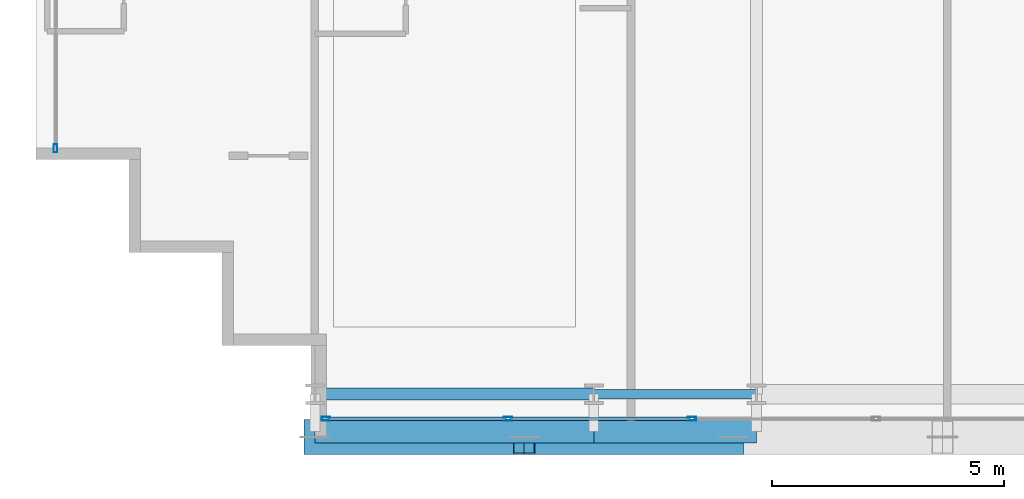
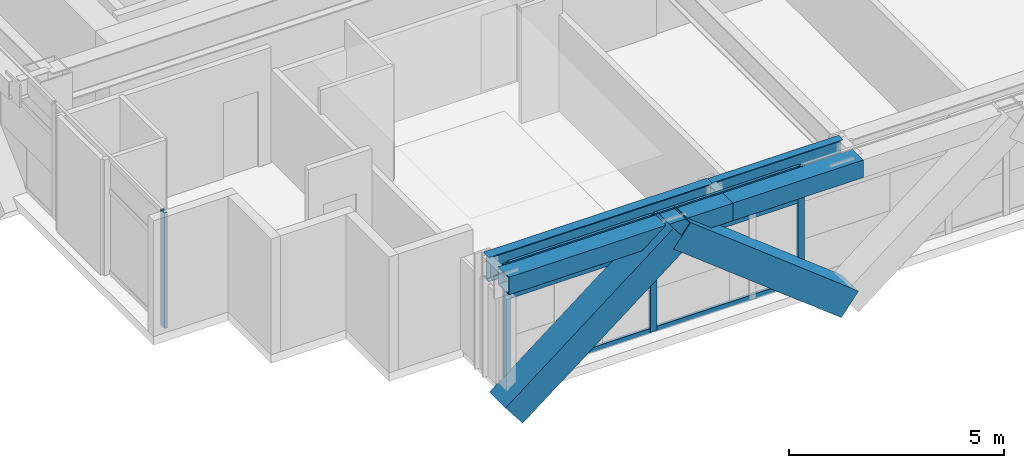
# One storey, part 2 of 36: 12 members, 4 beams, 2 elements without a shape of their own.
"""IFC4 building model written with IfcOpenShell, lengths in metres."""

from ifc_helpers import new_model, si_unit, direction, frame, origin, origin_2d, place, context, subcontext, project, spatial, hollow_rectangle, i_section, extrude, source, transform, mapped, material, layer, layer_set, material_profile, profile_set, type_object, element, aggregate, save


model = new_model("IFC4")

# Units and contexts
model_context = context("Model", 3, precision=1e-05, world=origin(), true_north=direction((0.0, 1.0)))
body_context = subcontext(model_context, "Body", "Model", "MODEL_VIEW")
ifc_project = project(units=[si_unit("LENGTHUNIT", "METRE"), si_unit("AREAUNIT", "SQUARE_METRE"), si_unit("VOLUMEUNIT", "CUBIC_METRE"), si_unit("PLANEANGLEUNIT", "RADIAN"), si_unit("MASSUNIT", "GRAM", prefix="KILO")], contexts=[model_context])

# Site, building, storey
site_placement = place(None, origin())
site = spatial("IfcSite", under=ifc_project, at=site_placement, CompositionType="ELEMENT")
building_placement = place(site_placement, origin())
building = spatial("IfcBuilding", under=site, at=building_placement, Name="Ocotamira Hotel", CompositionType="ELEMENT")
storey_placement = place(building_placement, frame((0.0, 0.0, 147.60009765625)))
storey = spatial("IfcBuildingStorey", under=building, at=storey_placement, Name="L37", CompositionType="ELEMENT", Elevation=147.60009765625)

# Beams
ifc_material_1 = material(Name="Steel ASTM A992 Grade 50", Category="steel")
ifc_material_profile_1 = material_profile(ifc_material_1, i_section(OverallWidth=0.256103515625, OverallDepth=0.693115234375, WebThickness=0.014404296875, FlangeThickness=0.023681640625, FilletRadius=0.01611328125, at=origin_2d()), Name="W27X114")
ifc_profile_set_1 = profile_set([ifc_material_profile_1], Name="Steel ASTM A992 Grade 50")
beam_type_1 = type_object("IfcBeamType", Name="BM-PRIM-W27X114", PredefinedType="BEAM", material=ifc_profile_set_1)
shared_shape_1 = source(origin(), body_context, "Body", "SweptSolid", [
    extrude(i_section(OverallWidth=0.256103515625, OverallDepth=0.693115234375, WebThickness=0.014404296875, FlangeThickness=0.023681640625, FilletRadius=0.01611328125, at=origin_2d()), origin(), (0.0, 0.0, 1.0), 6.0),
])
beam_1_placement = place(storey_placement, frame((14.0, 2.949951171875, 2.933349609375), z_axis=(1.0, 0.0, 0.0), x_axis=(0.0, 1.0, 0.0)))
element("IfcBeam", 1, at=beam_1_placement, inside=storey, type_object=beam_type_1, Name="L37 Girder Y2.95 X14-20", PredefinedType="BEAM", context=body_context, shape_type="MappedRepresentation", body=[
    mapped(shared_shape_1, transform((0.0, 0.0, 0.0), scale=1.0)),
])
ifc_material_profile_2 = material_profile(ifc_material_1, i_section(OverallWidth=0.2099609375, OverallDepth=0.537109375, WebThickness=0.010986328125, FlangeThickness=0.017333984375, FilletRadius=0.012939453125, at=origin_2d()), Name="W21X68")
ifc_profile_set_2 = profile_set([ifc_material_profile_2], Name="Steel ASTM A992 Grade 50")
beam_type_2 = type_object("IfcBeamType", Name="BM-SEC-W21X68", PredefinedType="JOIST", material=ifc_profile_set_2)
shared_shape_2 = source(origin(), body_context, "Body", "SweptSolid", [
    extrude(i_section(OverallWidth=0.2099609375, OverallDepth=0.537109375, WebThickness=0.010986328125, FlangeThickness=0.017333984375, FilletRadius=0.012939453125, at=origin_2d()), origin(), (0.0, 0.0, 1.0), 3.5),
])
beam_2_placement = place(storey_placement, frame((20.0, 2.949951171875, 3.011474609375), z_axis=(1.0, 0.0, 0.0), x_axis=(0.0, 1.0, 0.0)))
element("IfcBeam", 2, at=beam_2_placement, inside=storey, type_object=beam_type_2, Name="L37 Girder Y2.95 X20-23.5", PredefinedType="JOIST", context=body_context, shape_type="MappedRepresentation", body=[
    mapped(shared_shape_2, transform((0.0, 0.0, 0.0), scale=1.0)),
])
ifc_material_2 = material(Name="Steel ASTM A500 Grade C", Category="steel")
ifc_material_profile_3 = material_profile(ifc_material_2, hollow_rectangle(XDim=0.5, YDim=0.5, WallThickness=0.02001953125, at=origin_2d()), Name="HSS500X500X20")
ifc_profile_set_3 = profile_set([ifc_material_profile_3], Name="Steel ASTM A500 Grade C")
beam_type_3 = type_object("IfcBeamType", Name="BM-SPAN-HSS500", PredefinedType="USERDEFINED", material=ifc_profile_set_3)
shared_shape_3 = source(origin(), body_context, "Body", "SweptSolid", [
    extrude(hollow_rectangle(XDim=0.5, YDim=0.5, WallThickness=0.02001953125, at=origin_2d()), origin(), (0.0, 0.0, 1.0), 6.0),
])
beam_3_placement = place(storey_placement, frame((14.0, 2.14990234375, 3.02978515625), z_axis=(1.0, 0.0, 0.0), x_axis=(0.0, 1.0, 0.0)))
element("IfcBeam", 3, at=beam_3_placement, inside=storey, type_object=beam_type_3, Name="L37 Edge Spandrel S X14-20", ObjectType="SPANDREL", PredefinedType="USERDEFINED", context=body_context, shape_type="MappedRepresentation", body=[
    mapped(shared_shape_3, transform((0.0, 0.0, 0.0), scale=1.0)),
])
shared_shape_4 = source(origin(), body_context, "Body", "SweptSolid", [
    extrude(hollow_rectangle(XDim=0.5, YDim=0.5, WallThickness=0.02001953125, at=origin_2d()), origin(), (0.0, 0.0, 1.0), 3.5),
])
beam_4_placement = place(storey_placement, frame((20.0, 2.14990234375, 3.02978515625), z_axis=(1.0, 0.0, 0.0), x_axis=(0.0, 1.0, 0.0)))
element("IfcBeam", 4, at=beam_4_placement, inside=storey, type_object=beam_type_3, Name="L37 Edge Spandrel S X20-23.5", ObjectType="SPANDREL", PredefinedType="USERDEFINED", context=body_context, shape_type="MappedRepresentation", body=[
    mapped(shared_shape_4, transform((0.0, 0.0, 0.0), scale=1.0)),
])

# Members
ifc_material_3 = material(Name="Pale-metal coated steel ASTM A913 Grade 65", Category="steel")
ifc_material_profile_4 = material_profile(ifc_material_3, hollow_rectangle(XDim=0.75, YDim=0.75, WallThickness=0.028076171875, at=origin_2d()), Name="BOX750X750X28")
ifc_profile_set_4 = profile_set([ifc_material_profile_4], Name="Pale-metal coated steel ASTM A913 Grade 65")
member_type_1 = type_object("IfcMemberType", Name="MEM-EXO-BOX750", PredefinedType="BRACE", material=ifc_profile_set_4)
shared_shape_5 = source(origin(), body_context, "Body", "SweptSolid", [
    extrude(hollow_rectangle(XDim=0.75, YDim=0.75, WallThickness=0.028076171875, at=origin_2d()), origin(), (0.0, 0.0, 1.0), 5.713134765625),
])
for number, where, z_axis, x_axis, name in (
    (5, (14.0, 2.030029296875, -0.489990234375), (0.787671799809, 0.0, 0.616095070412), (0.0, 1.0, 0.0), "L37 Exoskeleton Diagrid S0.1"),
    (6, (23.0, 2.030029296875, -0.489990234375), (-0.787671799809, 0.0, 0.616095070412), (0.0, -1.0, 0.0), "L37 Exoskeleton Diagrid S0.2"),
):
    element("IfcMember", number, at=place(storey_placement, frame(where, z_axis=z_axis, x_axis=x_axis)), inside=storey, type_object=member_type_1, Name=name, PredefinedType="BRACE", context=body_context, shape_type="MappedRepresentation", body=[
        mapped(shared_shape_5, transform((0.0, 0.0, 0.0), scale=1.0)),
    ])

# Curtain wall, members
ifc_material_4 = material(Name="Anodised pale-metal aluminium and solar glass", Category="aluminium")
ifc_layer = layer(ifc_material_4, 0.179931640625)
ifc_layer_set = layer_set([ifc_layer], Name="Anodised pale-metal aluminium and solar glass")
curtain_wall_type = type_object("IfcCurtainWallType", Name="CW-SYS3-Z2", PredefinedType="NOTDEFINED", material=ifc_layer_set)
curtain_wall_1_placement = place(storey_placement, origin())
curtain_wall_1 = element("IfcCurtainWall", 7, at=curtain_wall_1_placement, inside=storey, type_object=curtain_wall_type, Name="L37 Curtain Wall CW-3 CW-L37-S1", PredefinedType="NOTDEFINED")
ifc_material_5 = material(Name="Anodised pale-metal aluminium 6063-T6", Category="aluminium")
ifc_material_profile_5 = material_profile(ifc_material_5, hollow_rectangle(XDim=0.074951171875, YDim=0.14990234375, WallThickness=0.006103515625, at=origin_2d()), Name="HSS150X75X6")
ifc_profile_set_5 = profile_set([ifc_material_profile_5], Name="Anodised pale-metal aluminium 6063-T6")
member_type_2 = type_object("IfcMemberType", Name="CWT-150X75", PredefinedType="USERDEFINED", material=ifc_profile_set_5)
shared_shape_6 = source(origin(), body_context, "Body", "SweptSolid", [
    extrude(hollow_rectangle(XDim=0.074951171875, YDim=0.14990234375, WallThickness=0.006103515625, at=origin_2d()), origin(), (0.0, 0.0, 1.0), 3.83544921875),
])
member_1_placement = place(storey_placement, frame((14.280029296875, 2.419921875, 0.037353515625), z_axis=(1.0, 0.0, 0.0), x_axis=(0.0, 1.0, 0.0)))
member_1 = element("IfcMember", 8, at=member_1_placement, type_object=member_type_2, Name="CW-3 transom 1.1", ObjectType="TRANSOM", PredefinedType="USERDEFINED", context=body_context, shape_type="MappedRepresentation", body=[
    mapped(shared_shape_6, transform((0.0, 0.0, 0.0), scale=1.0)),
])
member_2_placement = place(storey_placement, frame((14.280029296875, 2.419921875, 2.349853515625), z_axis=(1.0, 0.0, 0.0), x_axis=(0.0, 1.0, 0.0)))
member_2 = element("IfcMember", 9, at=member_2_placement, type_object=member_type_2, Name="CW-3 transom 1.2", ObjectType="TRANSOM", PredefinedType="USERDEFINED", context=body_context, shape_type="MappedRepresentation", body=[
    mapped(shared_shape_6, transform((0.0, 0.0, 0.0), scale=1.0)),
])
member_3_placement = place(storey_placement, frame((14.280029296875, 2.419921875, 3.242431640625), z_axis=(1.0, 0.0, 0.0), x_axis=(0.0, 1.0, 0.0)))
member_3 = element("IfcMember", 10, at=member_3_placement, type_object=member_type_2, Name="CW-3 transom 1.3", ObjectType="TRANSOM", PredefinedType="USERDEFINED", context=body_context, shape_type="MappedRepresentation", body=[
    mapped(shared_shape_6, transform((0.0, 0.0, 0.0), scale=1.0)),
])
shared_shape_7 = source(origin(), body_context, "Body", "SweptSolid", [
    extrude(hollow_rectangle(XDim=0.074951171875, YDim=0.14990234375, WallThickness=0.006103515625, at=origin_2d()), origin(), (0.0, 0.0, 1.0), 3.87548828125),
])
member_4_placement = place(storey_placement, frame((18.195556640625, 2.419921875, 0.037353515625), z_axis=(1.0, 0.0, 0.0), x_axis=(0.0, 1.0, 0.0)))
member_4 = element("IfcMember", 11, at=member_4_placement, type_object=member_type_2, Name="CW-3 transom 2.1", ObjectType="TRANSOM", PredefinedType="USERDEFINED", context=body_context, shape_type="MappedRepresentation", body=[
    mapped(shared_shape_7, transform((0.0, 0.0, 0.0), scale=1.0)),
])
member_5_placement = place(storey_placement, frame((18.195556640625, 2.419921875, 2.349853515625), z_axis=(1.0, 0.0, 0.0), x_axis=(0.0, 1.0, 0.0)))
member_5 = element("IfcMember", 12, at=member_5_placement, type_object=member_type_2, Name="CW-3 transom 2.2", ObjectType="TRANSOM", PredefinedType="USERDEFINED", context=body_context, shape_type="MappedRepresentation", body=[
    mapped(shared_shape_7, transform((0.0, 0.0, 0.0), scale=1.0)),
])
member_6_placement = place(storey_placement, frame((18.195556640625, 2.419921875, 3.242431640625), z_axis=(1.0, 0.0, 0.0), x_axis=(0.0, 1.0, 0.0)))
member_6 = element("IfcMember", 13, at=member_6_placement, type_object=member_type_2, Name="CW-3 transom 2.3", ObjectType="TRANSOM", PredefinedType="USERDEFINED", context=body_context, shape_type="MappedRepresentation", body=[
    mapped(shared_shape_7, transform((0.0, 0.0, 0.0), scale=1.0)),
])
ifc_material_profile_6 = material_profile(ifc_material_5, hollow_rectangle(XDim=0.080078125, YDim=0.179931640625, WallThickness=0.006103515625, at=origin_2d()), Name="HSS180X80X6")
ifc_profile_set_6 = profile_set([ifc_material_profile_6], Name="Anodised pale-metal aluminium 6063-T6")
member_type_3 = type_object("IfcMemberType", Name="CWM-180X75", PredefinedType="MULLION", material=ifc_profile_set_6)
shared_shape_8 = source(origin(), body_context, "Body", "SweptSolid", [
    extrude(hollow_rectangle(XDim=0.080078125, YDim=0.179931640625, WallThickness=0.006103515625, at=origin_2d()), origin(), (0.0, 0.0, 1.0), 3.27978515625),
])
member_7_placement = place(storey_placement, frame((14.239990234375, 2.419921875, 0.0), z_axis=(0.0, 0.0, 1.0), x_axis=(0.0, 1.0, 0.0)))
member_7 = element("IfcMember", 14, at=member_7_placement, type_object=member_type_3, Name="CW-3 mullion 1", PredefinedType="MULLION", context=body_context, shape_type="MappedRepresentation", body=[
    mapped(shared_shape_8, transform((0.0, 0.0, 0.0), scale=1.0)),
])
member_8_placement = place(storey_placement, frame((18.155517578125, 2.419921875, 0.0), z_axis=(0.0, 0.0, 1.0), x_axis=(0.0, 1.0, 0.0)))
member_8 = element("IfcMember", 15, at=member_8_placement, type_object=member_type_3, Name="CW-3 mullion 2", PredefinedType="MULLION", context=body_context, shape_type="MappedRepresentation", body=[
    mapped(shared_shape_8, transform((0.0, 0.0, 0.0), scale=1.0)),
])
member_9_placement = place(storey_placement, frame((22.111083984375, 2.419921875, 0.0), z_axis=(0.0, 0.0, 1.0), x_axis=(0.0, 1.0, 0.0)))
member_9 = element("IfcMember", 16, at=member_9_placement, type_object=member_type_3, Name="CW-3 mullion 3", PredefinedType="MULLION", context=body_context, shape_type="MappedRepresentation", body=[
    mapped(shared_shape_8, transform((0.0, 0.0, 0.0), scale=1.0)),
])
aggregate(curtain_wall_1, [member_7, member_8, member_9, member_1, member_2, member_3, member_4, member_5, member_6])

# Curtain wall, member
curtain_wall_2_placement = place(storey_placement, origin())
curtain_wall_2 = element("IfcCurtainWall", 17, at=curtain_wall_2_placement, inside=storey, type_object=curtain_wall_type, Name="L37 Curtain Wall CW-3 CW-L37-W", PredefinedType="NOTDEFINED")
member_10_placement = place(storey_placement, frame((8.419921875, 8.239990234375, 0.0), z_axis=(0.0, 0.0, 1.0), x_axis=(-1.0, 0.0, 0.0)))
member_10 = element("IfcMember", 18, at=member_10_placement, type_object=member_type_3, Name="CW-3 mullion 1", PredefinedType="MULLION", context=body_context, shape_type="MappedRepresentation", body=[
    mapped(shared_shape_8, transform((0.0, 0.0, 0.0), scale=1.0)),
])
aggregate(curtain_wall_2, [member_10])

save(model, "model.ifc")
